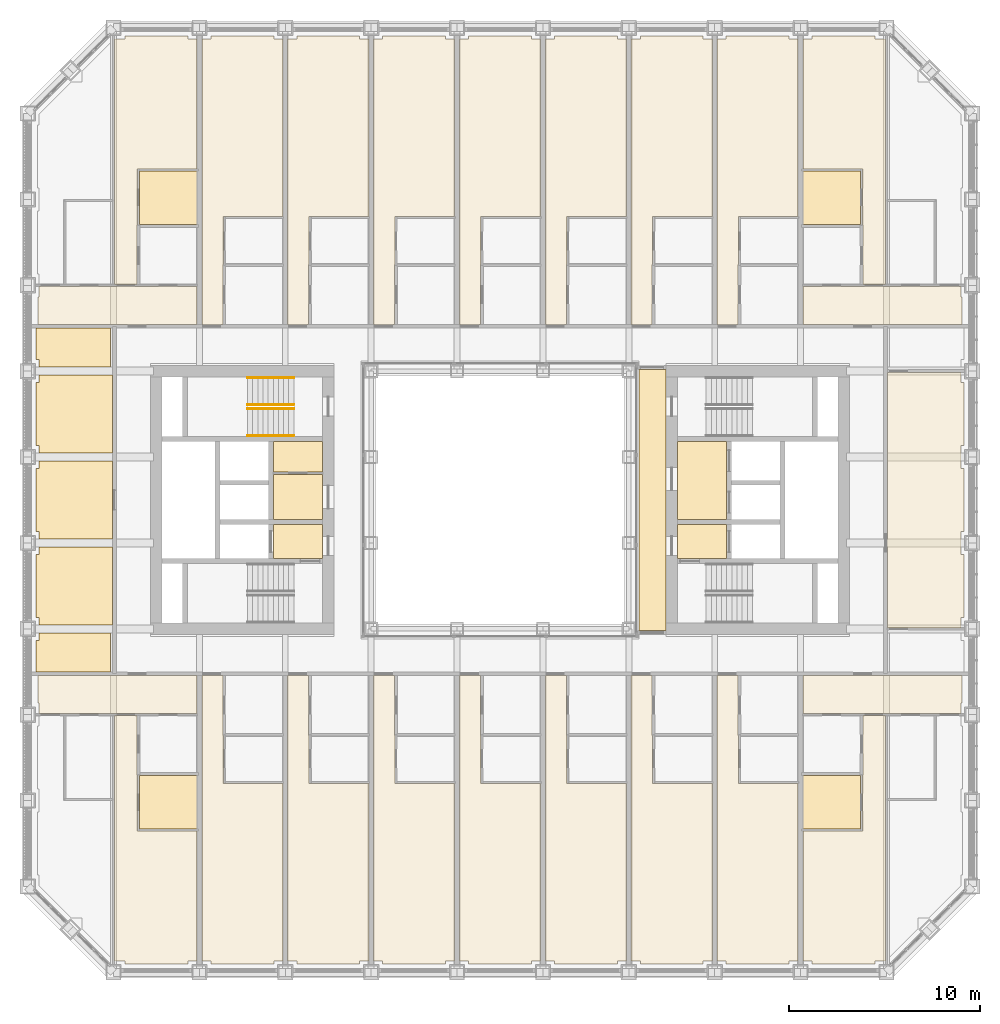
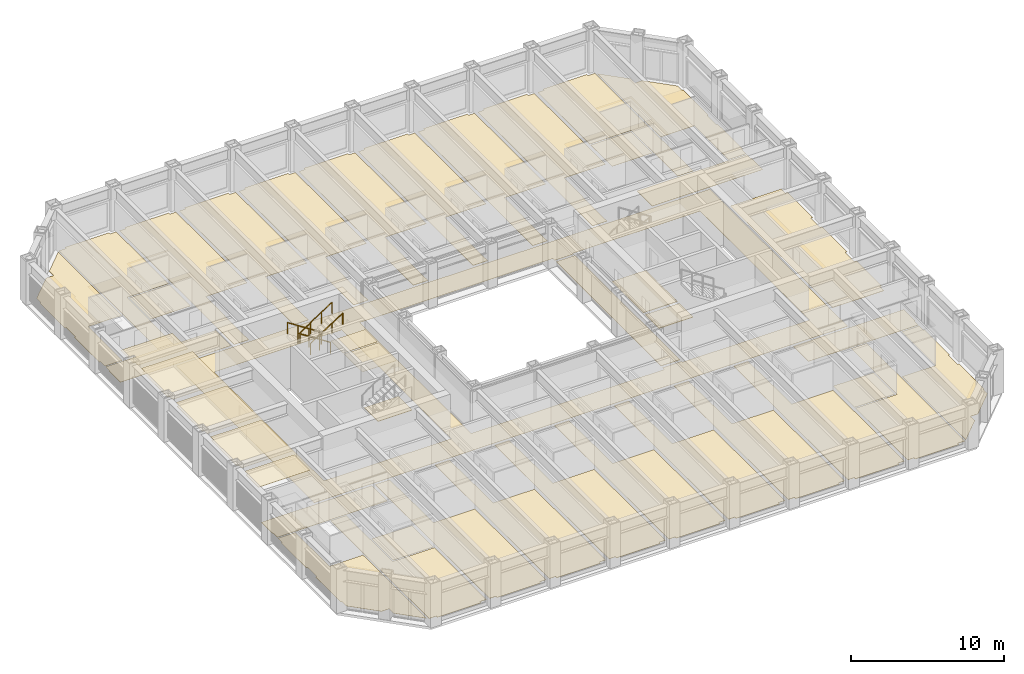
# One storey, part 18 of 21: 4 coverings, 4 railings.
"""IFC4 building model written with IfcOpenShell, lengths in metres."""

from ifc_helpers import new_model, si_unit, direction, frame, origin, origin_2d, place, context, subcontext, project, spatial, line, indexed_curve, circle, outline, extrude, material, layer, layer_set, type_object, element, save


model = new_model("IFC4")

# Units and contexts
model_context = context("Model", 3, precision=1e-05, world=origin(), true_north=direction((0.0, 1.0)))
body_context = subcontext(model_context, "Body", "Model", "MODEL_VIEW")
ifc_project = project(units=[si_unit("LENGTHUNIT", "METRE"), si_unit("AREAUNIT", "SQUARE_METRE"), si_unit("VOLUMEUNIT", "CUBIC_METRE"), si_unit("PLANEANGLEUNIT", "RADIAN"), si_unit("MASSUNIT", "GRAM", prefix="KILO")], contexts=[model_context])

# Site, building, storey
site_placement = place(None, origin())
site = spatial("IfcSite", under=ifc_project, at=site_placement, CompositionType="ELEMENT")
building_placement = place(site_placement, origin())
building = spatial("IfcBuilding", under=site, at=building_placement, Name="Msasa Ring Tower", CompositionType="ELEMENT")
storey_placement = place(building_placement, frame((0.0, 0.0, 33.5)))
storey = spatial("IfcBuildingStorey", under=building, at=storey_placement, Name="L07", CompositionType="ELEMENT", Elevation=33.5)

# Coverings
ifc_material_1 = material(Name="Mineral fibre ceiling tiles on an exposed steel grid", Category="steel")
ifc_layer_1 = layer(ifc_material_1, 0.02001953125)
ifc_layer_set_1 = layer_set([ifc_layer_1], Name="C3 ACOUSTIC MINERAL FIBRE TILE CEILING 20")
covering_type_1 = type_object("IfcCoveringType", Name="C3 ACOUSTIC MINERAL FIBRE TILE CEILING 20", PredefinedType="CEILING", material=ifc_layer_set_1)
covering_1_placement = place(storey_placement, frame((0.0, 0.0, 2.699951171875)))
element("IfcCovering", 1, at=covering_1_placement, inside=storey, type_object=covering_type_1, Name="Acoustic Mineral Fibre Tile Ceiling 20 L07", PredefinedType="CEILING", context=body_context, shape_type="SweptSolid", body=[
    extrude(outline(indexed_curve([(-24.299560546875, -8.99951171875), (-24.299560546875, -7.3505859375), (-24.1494140625, -7.3505859375), (-24.1494140625, -6.960693359375), (-20.404296875, -6.960693359375), (-20.404296875, -8.99951171875)], segments=[line(1, 2, 3, 4, 5, 6, 1)], self_intersect=False)), origin(), (0.0, 0.0, 1.0), 0.02001953125),
    extrude(outline(indexed_curve([(-24.299560546875, -2.8505859375), (-24.1494140625, -2.8505859375), (-24.1494140625, -2.460693359375), (-20.300537109375, -2.460693359375), (-20.300537109375, -6.539306640625), (-24.1494140625, -6.539306640625), (-24.1494140625, -6.1494140625), (-24.299560546875, -6.1494140625)], segments=[line(1, 2, 3, 4, 5, 6, 7, 8, 1)], self_intersect=False)), origin(), (0.0, 0.0, 1.0), 0.02001953125),
    extrude(outline(indexed_curve([(-24.299560546875, 1.6494140625), (-24.1494140625, 1.6494140625), (-24.1494140625, 2.039306640625), (-20.300537109375, 2.039306640625), (-20.300537109375, -2.039306640625), (-24.1494140625, -2.039306640625), (-24.1494140625, -1.6494140625), (-24.299560546875, -1.6494140625)], segments=[line(1, 2, 3, 4, 5, 6, 7, 8, 1)], self_intersect=False)), origin(), (0.0, 0.0, 1.0), 0.02001953125),
    extrude(outline(indexed_curve([(-24.299560546875, 6.1494140625), (-24.1494140625, 6.1494140625), (-24.1494140625, 6.539306640625), (-20.300537109375, 6.539306640625), (-20.300537109375, 2.460693359375), (-24.1494140625, 2.460693359375), (-24.1494140625, 2.8505859375), (-24.299560546875, 2.8505859375)], segments=[line(1, 2, 3, 4, 5, 6, 7, 8, 1)], self_intersect=False)), origin(), (0.0, 0.0, 1.0), 0.02001953125),
    extrude(outline(indexed_curve([(-24.299560546875, 8.99951171875), (-20.404296875, 8.99951171875), (-20.404296875, 6.960693359375), (-24.1494140625, 6.960693359375), (-24.1494140625, 7.3505859375), (-24.299560546875, 7.3505859375)], segments=[line(1, 2, 3, 4, 5, 6, 1)], self_intersect=False)), origin(), (0.0, 0.0, 1.0), 0.02001953125),
    extrude(outline(indexed_curve([(-9.300537109375, -1.0244140625), (-11.87451171875, -1.0244140625), (-11.87451171875, 1.344482421875), (-9.300537109375, 1.344482421875)], segments=[line(1, 2, 3, 4, 1)], self_intersect=False)), origin(), (0.0, 0.0, 1.0), 0.02001953125),
    extrude(outline(indexed_curve([(-9.300537109375, 1.45556640625), (-11.87451171875, 1.45556640625), (-11.87451171875, 3.074462890625), (-9.300537109375, 3.074462890625)], segments=[line(1, 2, 3, 4, 1)], self_intersect=False)), origin(), (0.0, 0.0, 1.0), 0.02001953125),
])
ifc_material_2 = material(Name="Honed granite tiles on a mortar bed", Category="masonry")
ifc_layer_2 = layer(ifc_material_2, 0.030029296875)
ifc_layer_set_2 = layer_set([ifc_layer_2], Name="F1 HONED GRANITE ON BEDDING 30")
covering_type_2 = type_object("IfcCoveringType", Name="F1 HONED GRANITE ON BEDDING 30", PredefinedType="FLOORING", material=ifc_layer_set_2)
covering_2_placement = place(storey_placement, origin())
element("IfcCovering", 2, at=covering_2_placement, inside=storey, type_object=covering_type_2, Name="Honed Granite On Bedding 30 L07", PredefinedType="FLOORING", context=body_context, shape_type="SweptSolid", body=[
    extrude(outline(indexed_curve([(-11.87451171875, -3.074462890625), (-11.87451171875, -1.275390625), (-9.300537109375, -1.275390625), (-9.300537109375, -3.074462890625)], segments=[line(1, 2, 3, 4, 1)], self_intersect=False)), origin(), (0.0, 0.0, 1.0), 0.030029296875),
    extrude(outline(indexed_curve([(7.280029296875, -6.849609375), (7.280029296875, 6.849609375), (8.699462890625, 6.849609375), (8.699462890625, -6.849609375)], segments=[line(1, 2, 3, 4, 1)], self_intersect=False)), origin(), (0.0, 0.0, 1.0), 0.030029296875),
    extrude(outline(indexed_curve([(9.300537109375, -3.074462890625), (9.300537109375, -1.275390625), (11.87451171875, -1.275390625), (11.87451171875, -3.074462890625)], segments=[line(1, 2, 3, 4, 1)], self_intersect=False)), origin(), (0.0, 0.0, 1.0), 0.030029296875),
    extrude(outline(indexed_curve([(9.300537109375, -1.0244140625), (9.300537109375, 3.074462890625), (11.87451171875, 3.074462890625), (11.87451171875, -1.0244140625)], segments=[line(1, 2, 3, 4, 1)], self_intersect=False)), origin(), (0.0, 0.0, 1.0), 0.030029296875),
])
ifc_material_3 = material(Name="Wool-blend carpet on felt underlay", Category="textile")
ifc_layer_3 = layer(ifc_material_3, 0.011962890625)
ifc_layer_set_3 = layer_set([ifc_layer_3], Name="F2 CARPET ON UNDERLAY 12")
covering_type_3 = type_object("IfcCoveringType", Name="F2 CARPET ON UNDERLAY 12", PredefinedType="FLOORING", material=ifc_layer_set_3)
covering_3_placement = place(storey_placement, origin())
element("IfcCovering", 3, at=covering_3_placement, inside=storey, type_object=covering_type_3, Name="Carpet On Underlay 12 L07", PredefinedType="FLOORING", context=body_context, shape_type="SweptSolid", body=[
    extrude(outline(indexed_curve([(-21.8994140625, -22.46337890625), (-21.8994140625, -21.8994140625), (-22.46337890625, -21.8994140625), (-24.1494140625, -20.21337890625), (-24.1494140625, -19.6494140625), (-24.239501953125, -19.6494140625), (-24.239501953125, -16.3505859375), (-24.1494140625, -16.3505859375), (-24.1494140625, -15.1494140625), (-24.239501953125, -15.1494140625), (-24.239501953125, -11.8505859375), (-24.1494140625, -11.8505859375), (-24.1494140625, -11.300537109375), (-22.8505859375, -11.300537109375), (-22.8505859375, -15.74267578125), (-20.310546875, -15.74267578125), (-20.310546875, -24.052490234375)], segments=[line(1, 2, 3, 4, 5, 6, 7, 8, 9, 10, 11, 12, 13, 14, 15, 16, 17, 1)], self_intersect=False)), origin(), (0.0, 0.0, 1.0), 0.011962890625),
    extrude(outline(indexed_curve([(-24.239501953125, 15.1494140625), (-24.1494140625, 15.1494140625), (-24.1494140625, 16.3505859375), (-24.239501953125, 16.3505859375), (-24.239501953125, 19.6494140625), (-24.1494140625, 19.6494140625), (-24.1494140625, 20.21337890625), (-22.46337890625, 21.8994140625), (-21.8994140625, 21.8994140625), (-21.8994140625, 22.46337890625), (-20.310546875, 24.052490234375), (-20.310546875, 15.74267578125), (-22.8505859375, 15.74267578125), (-22.8505859375, 11.300537109375), (-24.1494140625, 11.300537109375), (-24.1494140625, 11.8505859375), (-24.239501953125, 11.8505859375)], segments=[line(1, 2, 3, 4, 5, 6, 7, 8, 9, 10, 11, 12, 13, 14, 15, 16, 17, 1)], self_intersect=False)), origin(), (0.0, 0.0, 1.0), 0.011962890625),
    extrude(outline(indexed_curve([(-20.099609375, -8.99951171875), (-20.099609375, 8.99951171875), (20.099609375, 8.99951171875), (20.099609375, -8.99951171875)], segments=[line(1, 2, 3, 4, 1)], self_intersect=False), holes=[indexed_curve([(8.699462890625, -7.150390625), (18.300537109375, -7.150390625), (18.300537109375, 7.150390625), (8.699462890625, 7.150390625), (8.699462890625, 7.050537109375), (7.280029296875, 7.050537109375), (7.275390625, 7.275390625), (7.22998046875, 7.280029296875), (-7.275390625, 7.275390625), (-7.275390625, -7.275390625), (7.22998046875, -7.280029296875), (7.275390625, -7.275390625), (7.280029296875, -7.050537109375), (8.699462890625, -7.050537109375)], segments=[line(1, 2, 3, 4, 5, 6, 7, 8, 9, 10, 11, 12, 13, 14, 1)], self_intersect=False), indexed_curve([(-8.699462890625, 7.150390625), (-18.300537109375, 7.150390625), (-18.300537109375, -7.150390625), (-8.699462890625, -7.150390625)], segments=[line(1, 2, 3, 4, 1)], self_intersect=False)]), origin(), (0.0, 0.0, 1.0), 0.011962890625),
    extrude(outline(indexed_curve([(-18.8994140625, -14.430419921875), (-15.87548828125, -14.430419921875), (-15.87548828125, -17.2353515625), (-18.8994140625, -17.2353515625)], segments=[line(1, 2, 3, 4, 1)], self_intersect=False)), origin(), (0.0, 0.0, 1.0), 0.011962890625),
    extrude(outline(indexed_curve([(-18.8994140625, 17.2353515625), (-15.87548828125, 17.2353515625), (-15.87548828125, 14.430419921875), (-18.8994140625, 14.430419921875)], segments=[line(1, 2, 3, 4, 1)], self_intersect=False)), origin(), (0.0, 0.0, 1.0), 0.011962890625),
    extrude(outline(indexed_curve([(18.8994140625, -14.430419921875), (18.8994140625, -17.2353515625), (15.87548828125, -17.2353515625), (15.87548828125, -14.430419921875)], segments=[line(1, 2, 3, 4, 1)], self_intersect=False)), origin(), (0.0, 0.0, 1.0), 0.011962890625),
    extrude(outline(indexed_curve([(18.8994140625, 17.2353515625), (18.8994140625, 14.430419921875), (15.87548828125, 14.430419921875), (15.87548828125, 17.2353515625)], segments=[line(1, 2, 3, 4, 1)], self_intersect=False)), origin(), (0.0, 0.0, 1.0), 0.011962890625),
    extrude(outline(indexed_curve([(24.1494140625, -11.300537109375), (24.1494140625, -11.8505859375), (24.239501953125, -11.8505859375), (24.239501953125, -15.1494140625), (24.1494140625, -15.1494140625), (24.1494140625, -16.3505859375), (24.239501953125, -16.3505859375), (24.239501953125, -19.6494140625), (24.1494140625, -19.6494140625), (24.1494140625, -20.21337890625), (22.46337890625, -21.8994140625), (21.8994140625, -21.8994140625), (21.8994140625, -22.46337890625), (20.310546875, -24.052490234375), (20.310546875, -15.74267578125), (22.8505859375, -15.74267578125), (22.8505859375, -11.300537109375)], segments=[line(1, 2, 3, 4, 5, 6, 7, 8, 9, 10, 11, 12, 13, 14, 15, 16, 17, 1)], self_intersect=False)), origin(), (0.0, 0.0, 1.0), 0.011962890625),
    extrude(outline(indexed_curve([(24.239501953125, 16.3505859375), (24.1494140625, 16.3505859375), (24.1494140625, 15.1494140625), (24.239501953125, 15.1494140625), (24.239501953125, 11.8505859375), (24.1494140625, 11.8505859375), (24.1494140625, 11.300537109375), (22.8505859375, 11.300537109375), (22.8505859375, 15.74267578125), (20.310546875, 15.74267578125), (20.310546875, 24.052490234375), (21.8994140625, 22.46337890625), (21.8994140625, 21.8994140625), (22.46337890625, 21.8994140625), (24.1494140625, 20.21337890625), (24.1494140625, 19.6494140625), (24.239501953125, 19.6494140625)], segments=[line(1, 2, 3, 4, 5, 6, 7, 8, 9, 10, 11, 12, 13, 14, 15, 16, 17, 1)], self_intersect=False)), origin(), (0.0, 0.0, 1.0), 0.011962890625),
])
ifc_material_4 = material(Name="Engineered oak boards on an acoustic underlay", Category="wood")
ifc_layer_4 = layer(ifc_material_4, 0.01806640625)
ifc_layer_set_4 = layer_set([ifc_layer_4], Name="F3 ENGINEERED TIMBER ON ACOUSTIC UNDERLAY 18")
covering_type_4 = type_object("IfcCoveringType", Name="F3 ENGINEERED TIMBER ON ACOUSTIC UNDERLAY 18", PredefinedType="FLOORING", material=ifc_layer_set_4)
covering_4_placement = place(storey_placement, origin())
element("IfcCovering", 4, at=covering_4_placement, inside=storey, type_object=covering_type_4, Name="Engineered Timber On Acoustic Underlay 18 L07", PredefinedType="FLOORING", context=body_context, shape_type="SweptSolid", body=[
    extrude(outline(indexed_curve([(-15.87548828125, -9.200439453125), (-15.87548828125, -11.199462890625), (-24.1494140625, -11.199462890625), (-24.1494140625, -10.6494140625), (-24.199462890625, -10.6494140625), (-24.199462890625, -9.200439453125)], segments=[line(1, 2, 3, 4, 5, 6, 1)], self_intersect=False)), origin(), (0.0, 0.0, 1.0), 0.01806640625),
    extrude(outline(indexed_curve([(-24.199462890625, 9.200439453125), (-24.199462890625, 10.6494140625), (-24.1494140625, 10.6494140625), (-24.1494140625, 11.199462890625), (-15.87548828125, 11.199462890625), (-15.87548828125, 9.200439453125)], segments=[line(1, 2, 3, 4, 5, 6, 1)], self_intersect=False)), origin(), (0.0, 0.0, 1.0), 0.01806640625),
    extrude(outline(indexed_curve([(-20.189453125, -11.300537109375), (-19.025390625, -11.300537109375), (-19.025390625, -14.39990234375), (-19.00048828125, -14.39990234375), (-19.00048828125, -17.34130859375), (-15.87548828125, -17.34130859375), (-15.87548828125, -24.1494140625), (-16.3505859375, -24.1494140625), (-16.3505859375, -24.299560546875), (-19.6494140625, -24.299560546875), (-19.6494140625, -24.1494140625), (-20.189453125, -24.1494140625)], segments=[line(1, 2, 3, 4, 5, 6, 7, 8, 9, 10, 11, 12, 1)], self_intersect=False)), origin(), (0.0, 0.0, 1.0), 0.01806640625),
    extrude(outline(indexed_curve([(-20.189453125, 11.300537109375), (-20.189453125, 24.1494140625), (-19.6494140625, 24.1494140625), (-19.6494140625, 24.299560546875), (-16.3505859375, 24.299560546875), (-16.3505859375, 24.1494140625), (-15.87548828125, 24.1494140625), (-15.87548828125, 17.34130859375), (-19.00048828125, 17.34130859375), (-19.00048828125, 14.39990234375), (-19.025390625, 14.39990234375), (-19.025390625, 11.300537109375)], segments=[line(1, 2, 3, 4, 5, 6, 7, 8, 9, 10, 11, 12, 1)], self_intersect=False)), origin(), (0.0, 0.0, 1.0), 0.01806640625),
    extrude(outline(indexed_curve([(-14.525390625, -9.200439453125), (-14.525390625, -12.35009765625), (-14.50048828125, -12.35009765625), (-14.50048828125, -14.8505859375), (-11.37548828125, -14.8505859375), (-11.37548828125, -24.1494140625), (-11.8505859375, -24.1494140625), (-11.8505859375, -24.299560546875), (-15.1494140625, -24.299560546875), (-15.1494140625, -24.1494140625), (-15.62451171875, -24.1494140625), (-15.62451171875, -9.200439453125)], segments=[line(1, 2, 3, 4, 5, 6, 7, 8, 9, 10, 11, 12, 1)], self_intersect=False)), origin(), (0.0, 0.0, 1.0), 0.01806640625),
    extrude(outline(indexed_curve([(-11.8505859375, 24.299560546875), (-11.8505859375, 24.1494140625), (-11.37548828125, 24.1494140625), (-11.37548828125, 14.8505859375), (-14.50048828125, 14.8505859375), (-14.50048828125, 12.35009765625), (-14.525390625, 12.35009765625), (-14.525390625, 9.200439453125), (-15.62451171875, 9.200439453125), (-15.62451171875, 24.1494140625), (-15.1494140625, 24.1494140625), (-15.1494140625, 24.299560546875)], segments=[line(1, 2, 3, 4, 5, 6, 7, 8, 9, 10, 11, 12, 1)], self_intersect=False)), origin(), (0.0, 0.0, 1.0), 0.01806640625),
    extrude(outline(indexed_curve([(-10.025390625, -9.200439453125), (-10.025390625, -12.35009765625), (-10.00048828125, -12.35009765625), (-10.00048828125, -14.8505859375), (-6.87548828125, -14.8505859375), (-6.87548828125, -24.1494140625), (-7.3505859375, -24.1494140625), (-7.3505859375, -24.299560546875), (-10.6494140625, -24.299560546875), (-10.6494140625, -24.1494140625), (-11.12451171875, -24.1494140625), (-11.12451171875, -9.200439453125)], segments=[line(1, 2, 3, 4, 5, 6, 7, 8, 9, 10, 11, 12, 1)], self_intersect=False)), origin(), (0.0, 0.0, 1.0), 0.01806640625),
    extrude(outline(indexed_curve([(-7.3505859375, 24.299560546875), (-7.3505859375, 24.1494140625), (-6.87548828125, 24.1494140625), (-6.87548828125, 14.8505859375), (-10.00048828125, 14.8505859375), (-10.00048828125, 12.35009765625), (-10.025390625, 12.35009765625), (-10.025390625, 9.200439453125), (-11.12451171875, 9.200439453125), (-11.12451171875, 24.1494140625), (-10.6494140625, 24.1494140625), (-10.6494140625, 24.299560546875)], segments=[line(1, 2, 3, 4, 5, 6, 7, 8, 9, 10, 11, 12, 1)], self_intersect=False)), origin(), (0.0, 0.0, 1.0), 0.01806640625),
    extrude(outline(indexed_curve([(-5.525390625, -9.200439453125), (-5.525390625, -12.35009765625), (-5.50048828125, -12.35009765625), (-5.50048828125, -14.8505859375), (-2.37548828125, -14.8505859375), (-2.37548828125, -24.1494140625), (-2.8505859375, -24.1494140625), (-2.8505859375, -24.299560546875), (-6.1494140625, -24.299560546875), (-6.1494140625, -24.1494140625), (-6.62451171875, -24.1494140625), (-6.62451171875, -9.200439453125)], segments=[line(1, 2, 3, 4, 5, 6, 7, 8, 9, 10, 11, 12, 1)], self_intersect=False)), origin(), (0.0, 0.0, 1.0), 0.01806640625),
    extrude(outline(indexed_curve([(-2.8505859375, 24.299560546875), (-2.8505859375, 24.1494140625), (-2.37548828125, 24.1494140625), (-2.37548828125, 14.8505859375), (-5.50048828125, 14.8505859375), (-5.50048828125, 12.35009765625), (-5.525390625, 12.35009765625), (-5.525390625, 9.200439453125), (-6.62451171875, 9.200439453125), (-6.62451171875, 24.1494140625), (-6.1494140625, 24.1494140625), (-6.1494140625, 24.299560546875)], segments=[line(1, 2, 3, 4, 5, 6, 7, 8, 9, 10, 11, 12, 1)], self_intersect=False)), origin(), (0.0, 0.0, 1.0), 0.01806640625),
    extrude(outline(indexed_curve([(-1.025390625, -9.200439453125), (-1.025390625, -12.35009765625), (-1.00048828125, -12.35009765625), (-1.00048828125, -14.8505859375), (2.12451171875, -14.8505859375), (2.12451171875, -24.1494140625), (1.6494140625, -24.1494140625), (1.6494140625, -24.299560546875), (-1.6494140625, -24.299560546875), (-1.6494140625, -24.1494140625), (-2.12451171875, -24.1494140625), (-2.12451171875, -9.200439453125)], segments=[line(1, 2, 3, 4, 5, 6, 7, 8, 9, 10, 11, 12, 1)], self_intersect=False)), origin(), (0.0, 0.0, 1.0), 0.01806640625),
    extrude(outline(indexed_curve([(1.6494140625, 24.299560546875), (1.6494140625, 24.1494140625), (2.12451171875, 24.1494140625), (2.12451171875, 14.8505859375), (-1.00048828125, 14.8505859375), (-1.00048828125, 12.35009765625), (-1.025390625, 12.35009765625), (-1.025390625, 9.200439453125), (-2.12451171875, 9.200439453125), (-2.12451171875, 24.1494140625), (-1.6494140625, 24.1494140625), (-1.6494140625, 24.299560546875)], segments=[line(1, 2, 3, 4, 5, 6, 7, 8, 9, 10, 11, 12, 1)], self_intersect=False)), origin(), (0.0, 0.0, 1.0), 0.01806640625),
    extrude(outline(indexed_curve([(3.474609375, -9.200439453125), (3.474609375, -12.35009765625), (3.49951171875, -12.35009765625), (3.49951171875, -14.8505859375), (6.62451171875, -14.8505859375), (6.62451171875, -24.1494140625), (6.1494140625, -24.1494140625), (6.1494140625, -24.299560546875), (2.8505859375, -24.299560546875), (2.8505859375, -24.1494140625), (2.37548828125, -24.1494140625), (2.37548828125, -9.200439453125)], segments=[line(1, 2, 3, 4, 5, 6, 7, 8, 9, 10, 11, 12, 1)], self_intersect=False)), origin(), (0.0, 0.0, 1.0), 0.01806640625),
    extrude(outline(indexed_curve([(6.1494140625, 24.299560546875), (6.1494140625, 24.1494140625), (6.62451171875, 24.1494140625), (6.62451171875, 14.8505859375), (3.49951171875, 14.8505859375), (3.49951171875, 12.35009765625), (3.474609375, 12.35009765625), (3.474609375, 9.200439453125), (2.37548828125, 9.200439453125), (2.37548828125, 24.1494140625), (2.8505859375, 24.1494140625), (2.8505859375, 24.299560546875)], segments=[line(1, 2, 3, 4, 5, 6, 7, 8, 9, 10, 11, 12, 1)], self_intersect=False)), origin(), (0.0, 0.0, 1.0), 0.01806640625),
    extrude(outline(indexed_curve([(7.974609375, -9.200439453125), (7.974609375, -12.35009765625), (7.99951171875, -12.35009765625), (7.99951171875, -14.8505859375), (11.12451171875, -14.8505859375), (11.12451171875, -24.1494140625), (10.6494140625, -24.1494140625), (10.6494140625, -24.299560546875), (7.3505859375, -24.299560546875), (7.3505859375, -24.1494140625), (6.87548828125, -24.1494140625), (6.87548828125, -9.200439453125)], segments=[line(1, 2, 3, 4, 5, 6, 7, 8, 9, 10, 11, 12, 1)], self_intersect=False)), origin(), (0.0, 0.0, 1.0), 0.01806640625),
    extrude(outline(indexed_curve([(10.6494140625, 24.299560546875), (10.6494140625, 24.1494140625), (11.12451171875, 24.1494140625), (11.12451171875, 14.8505859375), (7.99951171875, 14.8505859375), (7.99951171875, 12.35009765625), (7.974609375, 12.35009765625), (7.974609375, 9.200439453125), (6.87548828125, 9.200439453125), (6.87548828125, 24.1494140625), (7.3505859375, 24.1494140625), (7.3505859375, 24.299560546875)], segments=[line(1, 2, 3, 4, 5, 6, 7, 8, 9, 10, 11, 12, 1)], self_intersect=False)), origin(), (0.0, 0.0, 1.0), 0.01806640625),
    extrude(outline(indexed_curve([(12.474609375, -9.200439453125), (12.474609375, -12.35009765625), (12.49951171875, -12.35009765625), (12.49951171875, -14.8505859375), (15.62451171875, -14.8505859375), (15.62451171875, -24.1494140625), (15.1494140625, -24.1494140625), (15.1494140625, -24.299560546875), (11.8505859375, -24.299560546875), (11.8505859375, -24.1494140625), (11.37548828125, -24.1494140625), (11.37548828125, -9.200439453125)], segments=[line(1, 2, 3, 4, 5, 6, 7, 8, 9, 10, 11, 12, 1)], self_intersect=False)), origin(), (0.0, 0.0, 1.0), 0.01806640625),
    extrude(outline(indexed_curve([(15.1494140625, 24.299560546875), (15.1494140625, 24.1494140625), (15.62451171875, 24.1494140625), (15.62451171875, 14.8505859375), (12.49951171875, 14.8505859375), (12.49951171875, 12.35009765625), (12.474609375, 12.35009765625), (12.474609375, 9.200439453125), (11.37548828125, 9.200439453125), (11.37548828125, 24.1494140625), (11.8505859375, 24.1494140625), (11.8505859375, 24.299560546875)], segments=[line(1, 2, 3, 4, 5, 6, 7, 8, 9, 10, 11, 12, 1)], self_intersect=False)), origin(), (0.0, 0.0, 1.0), 0.01806640625),
    extrude(outline(indexed_curve([(20.189453125, -24.1494140625), (19.6494140625, -24.1494140625), (19.6494140625, -24.299560546875), (16.3505859375, -24.299560546875), (16.3505859375, -24.1494140625), (15.87548828125, -24.1494140625), (15.87548828125, -17.34130859375), (19.00048828125, -17.34130859375), (19.00048828125, -14.39990234375), (19.025390625, -14.39990234375), (19.025390625, -11.300537109375), (20.189453125, -11.300537109375)], segments=[line(1, 2, 3, 4, 5, 6, 7, 8, 9, 10, 11, 12, 1)], self_intersect=False)), origin(), (0.0, 0.0, 1.0), 0.01806640625),
    extrude(outline(indexed_curve([(24.199462890625, -10.6494140625), (24.1494140625, -10.6494140625), (24.1494140625, -11.199462890625), (15.87548828125, -11.199462890625), (15.87548828125, -9.200439453125), (24.199462890625, -9.200439453125)], segments=[line(1, 2, 3, 4, 5, 6, 1)], self_intersect=False)), origin(), (0.0, 0.0, 1.0), 0.01806640625),
    extrude(outline(indexed_curve([(24.199462890625, 9.200439453125), (15.87548828125, 9.200439453125), (15.87548828125, 11.199462890625), (24.1494140625, 11.199462890625), (24.1494140625, 10.6494140625), (24.199462890625, 10.6494140625)], segments=[line(1, 2, 3, 4, 5, 6, 1)], self_intersect=False)), origin(), (0.0, 0.0, 1.0), 0.01806640625),
    extrude(outline(indexed_curve([(20.189453125, 11.300537109375), (19.025390625, 11.300537109375), (19.025390625, 14.39990234375), (19.00048828125, 14.39990234375), (19.00048828125, 17.34130859375), (15.87548828125, 17.34130859375), (15.87548828125, 24.1494140625), (16.3505859375, 24.1494140625), (16.3505859375, 24.299560546875), (19.6494140625, 24.299560546875), (19.6494140625, 24.1494140625), (20.189453125, 24.1494140625)], segments=[line(1, 2, 3, 4, 5, 6, 7, 8, 9, 10, 11, 12, 1)], self_intersect=False)), origin(), (0.0, 0.0, 1.0), 0.01806640625),
    extrude(outline(indexed_curve([(20.300537109375, 6.66943359375), (24.1494140625, 6.66943359375), (24.1494140625, 6.1494140625), (24.299560546875, 6.1494140625), (24.299560546875, 2.8505859375), (24.1494140625, 2.8505859375), (24.1494140625, 1.6494140625), (24.299560546875, 1.6494140625), (24.299560546875, -1.6494140625), (24.1494140625, -1.6494140625), (24.1494140625, -2.8505859375), (24.299560546875, -2.8505859375), (24.299560546875, -6.1494140625), (24.1494140625, -6.1494140625), (24.1494140625, -6.694580078125), (20.300537109375, -6.694580078125)], segments=[line(1, 2, 3, 4, 5, 6, 7, 8, 9, 10, 11, 12, 13, 14, 15, 16, 1)], self_intersect=False)), origin(), (0.0, 0.0, 1.0), 0.01806640625),
])

# Railings
ifc_material_5 = material(Name="Stainless steel", Category="steel")
railing_type = type_object("IfcRailingType", Name="HR1 HANDRAIL 900", PredefinedType="HANDRAIL", material=ifc_material_5)
for number, where, name in (
    (5, (-10.800048828125, 5.0, 0.175048828125), "Handrail stair SWB L07 1"),
    (6, (-10.800048828125, 6.39990234375, 0.175048828125), "Handrail stair SWB L07 2"),
):
    element("IfcRailing", number, at=place(storey_placement, frame(where)), inside=storey, type_object=railing_type, Name=name, PredefinedType="HANDRAIL", context=body_context, shape_type="SweptSolid", body=[
        extrude(circle(Radius=0.02392578125, at=origin_2d()), frame((0.0, 0.0, 0.8759765625), z_axis=(-0.839153699163, 0.0, 0.543894354798), x_axis=(0.0, -1.0, 0.0)), (0.0, 0.0, 1.0), 2.895751953125),
        extrude(circle(Radius=0.02099609375, at=origin_2d()), origin(), (0.0, 0.0, 1.0), 0.851806640625),
        extrude(circle(Radius=0.02099609375, at=origin_2d()), frame((-0.81005859375, 0.0, 0.52490234375)), (0.0, 0.0, 1.0), 0.851806640625),
        extrude(circle(Radius=0.02099609375, at=origin_2d()), frame((-1.619873046875, 0.0, 1.050048828125)), (0.0, 0.0, 1.0), 0.851806640625),
        extrude(circle(Radius=0.02099609375, at=origin_2d()), frame((-2.429931640625, 0.0, 1.574951171875)), (0.0, 0.0, 1.0), 0.851806640625),
    ])
for number, where, name in (
    (7, (-13.22998046875, 3.375, 1.925048828125), "Handrail stair SWB L07 3"),
    (8, (-13.22998046875, 4.77490234375, 1.925048828125), "Handrail stair SWB L07 4"),
):
    element("IfcRailing", number, at=place(storey_placement, frame(where)), inside=storey, type_object=railing_type, Name=name, PredefinedType="HANDRAIL", context=body_context, shape_type="SweptSolid", body=[
        extrude(circle(Radius=0.02392578125, at=origin_2d()), frame((0.0, 0.0, 0.8759765625), z_axis=(0.839153699163, 0.0, 0.543894354798), x_axis=(0.0, 1.0, 0.0)), (0.0, 0.0, 1.0), 2.895751953125),
        extrude(circle(Radius=0.02099609375, at=origin_2d()), origin(), (0.0, 0.0, 1.0), 0.851806640625),
        extrude(circle(Radius=0.02099609375, at=origin_2d()), frame((0.81005859375, 0.0, 0.52490234375)), (0.0, 0.0, 1.0), 0.851806640625),
        extrude(circle(Radius=0.02099609375, at=origin_2d()), frame((1.619873046875, 0.0, 1.050048828125)), (0.0, 0.0, 1.0), 0.851806640625),
        extrude(circle(Radius=0.02099609375, at=origin_2d()), frame((2.429931640625, 0.0, 1.574951171875)), (0.0, 0.0, 1.0), 0.851806640625),
    ])

save(model, "model.ifc")
